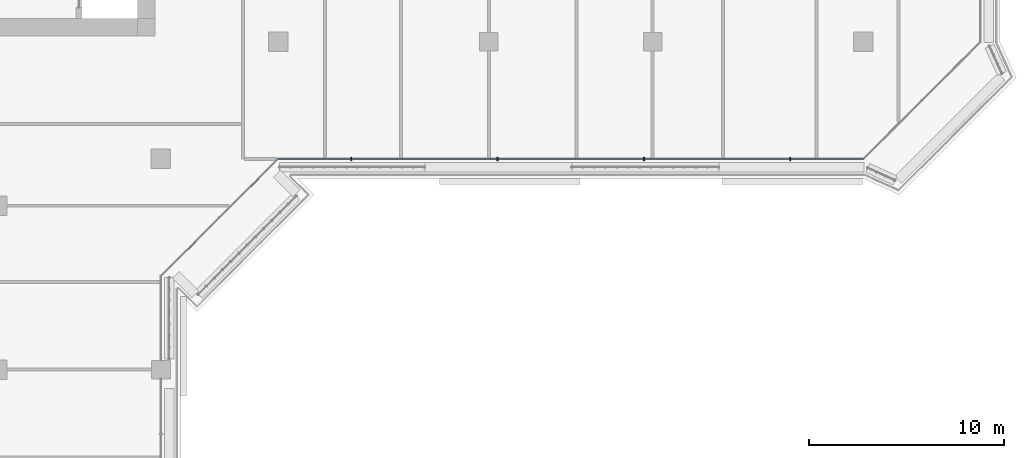
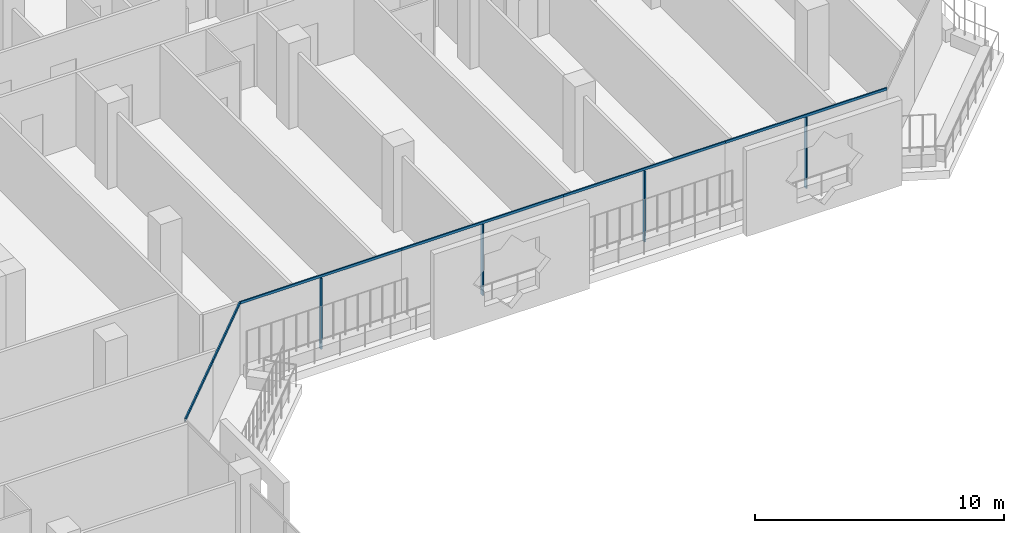
# One storey, part 3 of 21: 10 members, 2 elements without a shape of their own.
"""IFC4 building model written with IfcOpenShell, lengths in metres."""

from ifc_helpers import new_model, si_unit, direction, frame, origin, origin_2d, place, context, subcontext, project, spatial, rectangle, extrude, material, layer, layer_set, material_profile, profile_set, type_object, element, aggregate, save


model = new_model("IFC4")

# Units and contexts
model_context = context("Model", 3, precision=1e-05, world=origin(), true_north=direction((0.0, 1.0)))
body_context = subcontext(model_context, "Body", "Model", "MODEL_VIEW")
ifc_project = project(units=[si_unit("LENGTHUNIT", "METRE"), si_unit("AREAUNIT", "SQUARE_METRE"), si_unit("VOLUMEUNIT", "CUBIC_METRE"), si_unit("PLANEANGLEUNIT", "RADIAN"), si_unit("MASSUNIT", "GRAM", prefix="KILO")], contexts=[model_context])

# Site, building, storey
site_placement = place(None, origin())
site = spatial("IfcSite", under=ifc_project, at=site_placement, CompositionType="ELEMENT")
building_placement = place(site_placement, origin())
building = spatial("IfcBuilding", under=site, at=building_placement, Name="Kawkab Arch Medical Tower", CompositionType="ELEMENT")
storey_placement = place(building_placement, frame((0.0, 0.0, 192.0)))
storey = spatial("IfcBuildingStorey", under=building, at=storey_placement, Name="L44", CompositionType="ELEMENT", Elevation=192.0)

# Curtain wall, members
ifc_material_1 = material(Name="Bronze anodised aluminium curtain wall frame", Category="aluminium")
ifc_layer_1 = layer(ifc_material_1, 0.159912109375)
ifc_layer_set_1 = layer_set([ifc_layer_1], Name="Bronze anodised aluminium curtain wall frame")
curtain_wall_type_1 = type_object("IfcCurtainWallType", Name="CW1 ward curtain wall", PredefinedType="NOTDEFINED", material=ifc_layer_set_1)
placement = place(storey_placement, origin())
curtain_wall_1 = element("IfcCurtainWall", 1, at=placement, inside=storey, type_object=curtain_wall_type_1, Name="CW1 Ward curtain wall R07", PredefinedType="NOTDEFINED")
ifc_material_2 = material(Name="Bronze anodised aluminium curtain wall frame", Category="aluminium")
ifc_material_profile_1 = material_profile(ifc_material_2, rectangle(XDim=0.179931640625, YDim=0.06005859375, at=origin_2d()), Name="AL 60x180")
ifc_profile_set_1 = profile_set([ifc_material_profile_1], Name="Bronze anodised aluminium curtain wall frame")
member_type_1 = type_object("IfcMemberType", Name="CW1 mullion 60 x 180", PredefinedType="MULLION", material=ifc_profile_set_1)
member_1_placement = place(storey_placement, frame((34.949951171875, -31.199951171875, 0.0), z_axis=(0.0, 0.0, 1.0), x_axis=(0.0, 1.0, 0.0)))
member_1 = element("IfcMember", 2, at=member_1_placement, type_object=member_type_1, Name="CW1 mullion 1.1", PredefinedType="MULLION", context=body_context, shape_type="SweptSolid", body=[
    extrude(rectangle(XDim=0.179931640625, YDim=0.06005859375, at=origin_2d()), origin(), (0.0, 0.0, 1.0), 3.47998046875),
])
member_2_placement = place(storey_placement, frame((42.449951171875, -31.199951171875, 0.0), z_axis=(0.0, 0.0, 1.0), x_axis=(0.0, 1.0, 0.0)))
member_2 = element("IfcMember", 3, at=member_2_placement, type_object=member_type_1, Name="CW1 mullion 2.1", PredefinedType="MULLION", context=body_context, shape_type="SweptSolid", body=[
    extrude(rectangle(XDim=0.179931640625, YDim=0.06005859375, at=origin_2d()), origin(), (0.0, 0.0, 1.0), 3.47998046875),
])
member_3_placement = place(storey_placement, frame((49.949951171875, -31.199951171875, 0.0), z_axis=(0.0, 0.0, 1.0), x_axis=(0.0, 1.0, 0.0)))
member_3 = element("IfcMember", 4, at=member_3_placement, type_object=member_type_1, Name="CW1 mullion 3.1", PredefinedType="MULLION", context=body_context, shape_type="SweptSolid", body=[
    extrude(rectangle(XDim=0.179931640625, YDim=0.06005859375, at=origin_2d()), origin(), (0.0, 0.0, 1.0), 3.47998046875),
])
member_4_placement = place(storey_placement, frame((57.449951171875, -31.199951171875, 0.0), z_axis=(0.0, 0.0, 1.0), x_axis=(0.0, 1.0, 0.0)))
member_4 = element("IfcMember", 5, at=member_4_placement, type_object=member_type_1, Name="CW1 mullion 4.1", PredefinedType="MULLION", context=body_context, shape_type="SweptSolid", body=[
    extrude(rectangle(XDim=0.179931640625, YDim=0.06005859375, at=origin_2d()), origin(), (0.0, 0.0, 1.0), 3.47998046875),
])
ifc_material_3 = material(Name="Bronze anodised aluminium curtain wall frame", Category="aluminium")
ifc_material_profile_2 = material_profile(ifc_material_3, rectangle(XDim=0.06005859375, YDim=0.1201171875, at=origin_2d()), Name="AL 60x120")
ifc_profile_set_2 = profile_set([ifc_material_profile_2], Name="Bronze anodised aluminium curtain wall frame")
member_type_2 = type_object("IfcMemberType", Name="CW1 transom 120 x 60", PredefinedType="USERDEFINED", material=ifc_profile_set_2)
member_5_placement = place(storey_placement, frame((31.199951171875, -31.199951171875, 3.5400390625), z_axis=(1.0, 0.0, 0.0), x_axis=(0.0, 1.0, 0.0)))
member_5 = element("IfcMember", 6, at=member_5_placement, type_object=member_type_2, Name="CW1 transom 1", ObjectType="TRANSOM", PredefinedType="USERDEFINED", context=body_context, shape_type="SweptSolid", body=[
    extrude(rectangle(XDim=0.06005859375, YDim=0.1201171875, at=origin_2d()), origin(), (0.0, 0.0, 1.0), 7.5),
])
member_6_placement = place(storey_placement, frame((38.699951171875, -31.199951171875, 3.5400390625), z_axis=(1.0, 0.0, 0.0), x_axis=(0.0, 1.0, 0.0)))
member_6 = element("IfcMember", 7, at=member_6_placement, type_object=member_type_2, Name="CW1 transom 2", ObjectType="TRANSOM", PredefinedType="USERDEFINED", context=body_context, shape_type="SweptSolid", body=[
    extrude(rectangle(XDim=0.06005859375, YDim=0.1201171875, at=origin_2d()), origin(), (0.0, 0.0, 1.0), 7.5),
])
member_7_placement = place(storey_placement, frame((46.199951171875, -31.199951171875, 3.5400390625), z_axis=(1.0, 0.0, 0.0), x_axis=(0.0, 1.0, 0.0)))
member_7 = element("IfcMember", 8, at=member_7_placement, type_object=member_type_2, Name="CW1 transom 3", ObjectType="TRANSOM", PredefinedType="USERDEFINED", context=body_context, shape_type="SweptSolid", body=[
    extrude(rectangle(XDim=0.06005859375, YDim=0.1201171875, at=origin_2d()), origin(), (0.0, 0.0, 1.0), 7.5),
])
member_8_placement = place(storey_placement, frame((53.699951171875, -31.199951171875, 3.5400390625), z_axis=(1.0, 0.0, 0.0), x_axis=(0.0, 1.0, 0.0)))
member_8 = element("IfcMember", 9, at=member_8_placement, type_object=member_type_2, Name="CW1 transom 4", ObjectType="TRANSOM", PredefinedType="USERDEFINED", context=body_context, shape_type="SweptSolid", body=[
    extrude(rectangle(XDim=0.06005859375, YDim=0.1201171875, at=origin_2d()), origin(), (0.0, 0.0, 1.0), 7.5),
])
aggregate(curtain_wall_1, [member_5, member_1, member_6, member_2, member_7, member_3, member_8, member_4])

ifc_material_4 = material(Name="Bronze anodised aluminium curtain wall frame", Category="aluminium")
ifc_layer_2 = layer(ifc_material_4, 0.159912109375)
ifc_layer_set_2 = layer_set([ifc_layer_2], Name="Bronze anodised aluminium curtain wall frame")
curtain_wall_type_2 = type_object("IfcCurtainWallType", Name="CW2 chamfer curtain wall", PredefinedType="NOTDEFINED", material=ifc_layer_set_2)
curtain_wall_2 = element("IfcCurtainWall", 10, at=placement, inside=storey, type_object=curtain_wall_type_2, Name="CW2 Chamfer curtain wall R06", PredefinedType="NOTDEFINED")
ifc_material_5 = material(Name="Bronze anodised aluminium curtain wall frame", Category="aluminium")
ifc_material_profile_3 = material_profile(ifc_material_5, rectangle(XDim=0.06005859375, YDim=0.139892578125, at=origin_2d()), Name="AL 60x140")
ifc_profile_set_3 = profile_set([ifc_material_profile_3], Name="Bronze anodised aluminium curtain wall frame")
member_type_3 = type_object("IfcMemberType", Name="CW2 transom 140 x 60", PredefinedType="USERDEFINED", material=ifc_profile_set_3)
member_9_placement = place(storey_placement, frame((25.199951171875, -37.199951171875, 3.530029296875), z_axis=(0.707106781187, 0.707106781187, 0.0), x_axis=(-0.707106781187, 0.707106781187, 0.0)))
member_9 = element("IfcMember", 11, at=member_9_placement, type_object=member_type_3, Name="CW2 transom 1", ObjectType="TRANSOM", PredefinedType="USERDEFINED", context=body_context, shape_type="SweptSolid", body=[
    extrude(rectangle(XDim=0.06005859375, YDim=0.139892578125, at=origin_2d()), origin(), (0.0, 0.0, 1.0), 4.24267578125),
])
member_10_placement = place(storey_placement, frame((28.199951171875, -34.199951171875, 3.530029296875), z_axis=(0.707106781187, 0.707106781187, 0.0), x_axis=(-0.707106781187, 0.707106781187, 0.0)))
member_10 = element("IfcMember", 12, at=member_10_placement, type_object=member_type_3, Name="CW2 transom 2", ObjectType="TRANSOM", PredefinedType="USERDEFINED", context=body_context, shape_type="SweptSolid", body=[
    extrude(rectangle(XDim=0.06005859375, YDim=0.139892578125, at=origin_2d()), origin(), (0.0, 0.0, 1.0), 4.24267578125),
])
aggregate(curtain_wall_2, [member_9, member_10])

save(model, "model.ifc")
